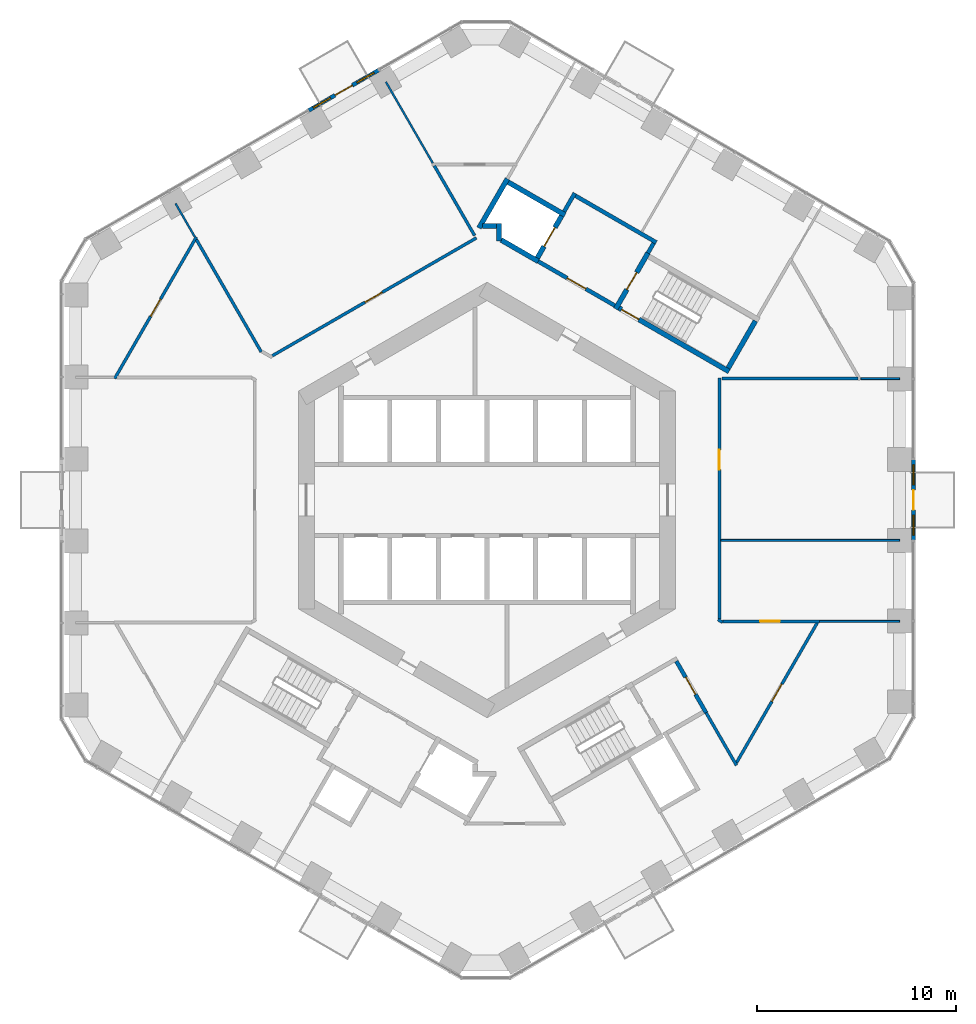
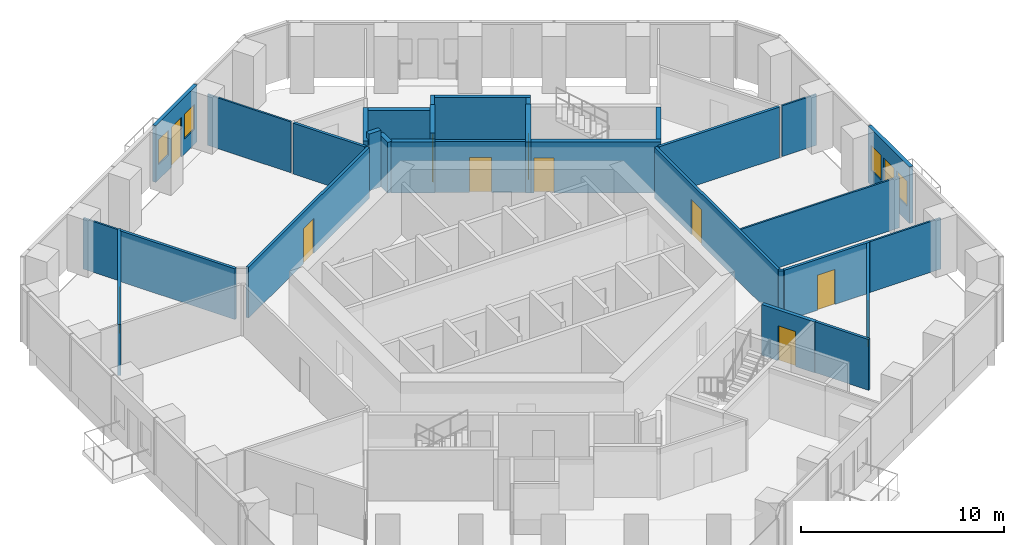
# One storey, part 15 of 20: 31 walls, 12 doors, 4 windows, 16 openings.
"""IFC4 building model written with IfcOpenShell, lengths in metres."""

from ifc_helpers import new_model, si_unit, direction, frame, frame_2d, origin, place, context, subcontext, project, spatial, rectangle, extrude, material, layer, layer_set, type_object, element, fill, save


model = new_model("IFC4")

# Units and contexts
model_context = context("Model", 3, precision=1e-05, world=origin(), true_north=direction((0.0, 1.0)))
body_context = subcontext(model_context, "Body", "Model", "MODEL_VIEW")
ifc_project = project(units=[si_unit("LENGTHUNIT", "METRE"), si_unit("AREAUNIT", "SQUARE_METRE"), si_unit("VOLUMEUNIT", "CUBIC_METRE"), si_unit("PLANEANGLEUNIT", "RADIAN"), si_unit("MASSUNIT", "GRAM", prefix="KILO")], contexts=[model_context])

# Site, building, storey
site_placement = place(None, origin())
site = spatial("IfcSite", under=ifc_project, at=site_placement, CompositionType="ELEMENT")
building_placement = place(site_placement, origin())
building = spatial("IfcBuilding", under=site, at=building_placement, Name="Ayvan Gate Tower", CompositionType="ELEMENT")
storey_placement = place(building_placement, frame((0.0, 0.0, 28.89990234375)))
storey = spatial("IfcBuildingStorey", under=building, at=storey_placement, Name="L06", CompositionType="ELEMENT", Elevation=28.89990234375)

# Wall, openings, door, windows
ifc_material_1 = material(Name="Insulated metal panel wall")
ifc_layer_1 = layer(ifc_material_1, 0.199951171875)
ifc_layer_set_1 = layer_set([ifc_layer_1], Name="Insulated metal panel wall")
wall_type_1 = type_object("IfcWallType", Name="Balcony door wall 200", PredefinedType="SOLIDWALL", material=ifc_layer_set_1)
wall_1_placement = place(storey_placement, frame((-5.4599609375, 21.656005859375, 0.0), z_axis=(0.0, 0.0, 1.0), x_axis=(-0.866021634107, -0.500006529216, 0.0)))
wall_1 = element("IfcWall", 1, at=wall_1_placement, inside=storey, type_object=wall_type_1, Name="EW:L06:2:1", PredefinedType="SOLIDWALL", context=body_context, shape_type="SweptSolid", body=[
    extrude(rectangle(XDim=4.06689453125, YDim=0.199951171875, at=frame_2d((2.033447265625, 0.0))), origin(), (0.0, 0.0, 1.0), 3.400146484375),
])
opening_1_placement = place(wall_1_placement, frame((1.533447265625, 0.0, 0.0)))
opening_1 = element("IfcOpeningElement", 2, at=opening_1_placement, cuts=wall_1, Name="Opening L06-D92", PredefinedType="OPENING", context=body_context, shape_type="SweptSolid", body=[
    extrude(rectangle(XDim=1.0, YDim=2.39990234375, at=frame_2d((0.5, 1.199951171875))), frame((0.0, 0.10986328125, 0.0), z_axis=(0.0, -1.0, 0.0), x_axis=(1.0, 0.0, 0.0)), (0.0, 0.0, 1.0), 0.219970703125),
])
opening_2_placement = place(wall_1_placement, frame((0.266845703125, 0.0, 0.89990234375)))
opening_2 = element("IfcOpeningElement", 3, at=opening_2_placement, cuts=wall_1, Name="Opening W-B1", PredefinedType="OPENING", context=body_context, shape_type="SweptSolid", body=[
    extrude(rectangle(XDim=1.0, YDim=1.5, at=frame_2d((0.5, 0.75))), frame((0.0, 0.10986328125, 0.0), z_axis=(0.0, -1.0, 0.0), x_axis=(1.0, 0.0, 0.0)), (0.0, 0.0, 1.0), 0.219970703125),
])
opening_3_placement = place(wall_1_placement, frame((2.80029296875, 0.0, 0.89990234375)))
opening_3 = element("IfcOpeningElement", 4, at=opening_3_placement, cuts=wall_1, Name="Opening W-B1", PredefinedType="OPENING", context=body_context, shape_type="SweptSolid", body=[
    extrude(rectangle(XDim=1.0, YDim=1.5, at=frame_2d((0.5, 0.75))), frame((0.0, 0.10986328125, 0.0), z_axis=(0.0, -1.0, 0.0), x_axis=(1.0, 0.0, 0.0)), (0.0, 0.0, 1.0), 0.219970703125),
])
ifc_material_2 = material(Name="Bronze anodised aluminium and clear glass", Category="aluminium")
door_type_1 = type_object("IfcDoorType", Name="Balcony door D-B", OperationType="SINGLE_SWING_RIGHT", PredefinedType="DOOR", material=ifc_material_2)
door_1_placement = place(opening_1_placement, origin())
door_1 = element("IfcDoor", 5, at=door_1_placement, inside=storey, type_object=door_type_1, Name="Balcony door BAL-L06-2", OperationType="SINGLE_SWING_RIGHT", OverallHeight=2.39990234375, OverallWidth=1.0, PredefinedType="DOOR", context=body_context, shape_type="SweptSolid", body=[
    extrude(rectangle(XDim=1.0, YDim=2.39990234375, at=frame_2d((0.5, 1.199951171875))), frame((0.0, 0.02490234375, 0.0), z_axis=(0.0, -1.0, 0.0), x_axis=(1.0, 0.0, 0.0)), (0.0, 0.0, 1.0), 0.050048828125),
])
fill(opening_1, door_1)
window_type = type_object("IfcWindowType", Name="Balcony side light W-B Z1", PartitioningType="SINGLE_PANEL", PredefinedType="WINDOW", material=ifc_material_2)
window_1_placement = place(opening_2_placement, origin())
window_1 = element("IfcWindow", 6, at=window_1_placement, inside=storey, type_object=window_type, Name="Balcony side light BAL-L06-2.1", OverallHeight=1.5, OverallWidth=1.0, PartitioningType="SINGLE_PANEL", PredefinedType="WINDOW", context=body_context, shape_type="SweptSolid", body=[
    extrude(rectangle(XDim=1.0, YDim=1.5, at=frame_2d((0.5, 0.75))), frame((0.0, 0.030029296875, 0.0), z_axis=(0.0, -1.0, 0.0), x_axis=(1.0, 0.0, 0.0)), (0.0, 0.0, 1.0), 0.06005859375),
])
fill(opening_2, window_1)
window_2_placement = place(opening_3_placement, origin())
window_2 = element("IfcWindow", 7, at=window_2_placement, inside=storey, type_object=window_type, Name="Balcony side light BAL-L06-2.2", OverallHeight=1.5, OverallWidth=1.0, PartitioningType="SINGLE_PANEL", PredefinedType="WINDOW", context=body_context, shape_type="SweptSolid", body=[
    extrude(rectangle(XDim=1.0, YDim=1.5, at=frame_2d((0.5, 0.75))), frame((0.0, 0.030029296875, 0.0), z_axis=(0.0, -1.0, 0.0), x_axis=(1.0, 0.0, 0.0)), (0.0, 0.0, 1.0), 0.06005859375),
])
fill(opening_3, window_2)

wall_2_placement = place(storey_placement, frame((21.484619140625, -2.032470703125, 0.0), z_axis=(0.0, 0.0, 1.0), x_axis=(0.0, 1.0, 0.0)))
wall_2 = element("IfcWall", 8, at=wall_2_placement, inside=storey, type_object=wall_type_1, Name="EW:L06:0:2", PredefinedType="SOLIDWALL", context=body_context, shape_type="SweptSolid", body=[
    extrude(rectangle(XDim=4.06591796875, YDim=0.199951171875, at=frame_2d((2.032958984375, 0.0))), origin(), (0.0, 0.0, 1.0), 3.400146484375),
])
opening_4_placement = place(wall_2_placement, frame((1.532958984375, 0.0, 0.0)))
opening_4 = element("IfcOpeningElement", 9, at=opening_4_placement, cuts=wall_2, Name="Opening L06-D90", PredefinedType="OPENING", context=body_context, shape_type="SweptSolid", body=[
    extrude(rectangle(XDim=1.0, YDim=2.39990234375, at=frame_2d((0.5, 1.199951171875))), frame((0.0, 0.10986328125, 0.0), z_axis=(0.0, -1.0, 0.0), x_axis=(1.0, 0.0, 0.0)), (0.0, 0.0, 1.0), 0.219970703125),
])
opening_5_placement = place(wall_2_placement, frame((0.2666015625, 0.0, 0.89990234375)))
opening_5 = element("IfcOpeningElement", 10, at=opening_5_placement, cuts=wall_2, Name="Opening W-B1", PredefinedType="OPENING", context=body_context, shape_type="SweptSolid", body=[
    extrude(rectangle(XDim=1.0, YDim=1.5, at=frame_2d((0.5, 0.75))), frame((0.0, 0.10986328125, 0.0), z_axis=(0.0, -1.0, 0.0), x_axis=(1.0, 0.0, 0.0)), (0.0, 0.0, 1.0), 0.219970703125),
])
opening_6_placement = place(wall_2_placement, frame((2.799560546875, 0.0, 0.89990234375)))
opening_6 = element("IfcOpeningElement", 11, at=opening_6_placement, cuts=wall_2, Name="Opening W-B1", PredefinedType="OPENING", context=body_context, shape_type="SweptSolid", body=[
    extrude(rectangle(XDim=1.0, YDim=1.5, at=frame_2d((0.5, 0.75))), frame((0.0, 0.10986328125, 0.0), z_axis=(0.0, -1.0, 0.0), x_axis=(1.0, 0.0, 0.0)), (0.0, 0.0, 1.0), 0.219970703125),
])
door_2_placement = place(opening_4_placement, origin())
door_2 = element("IfcDoor", 12, at=door_2_placement, inside=storey, type_object=door_type_1, Name="Balcony door BAL-L06-0", OperationType="SINGLE_SWING_RIGHT", OverallHeight=2.39990234375, OverallWidth=1.0, PredefinedType="DOOR", context=body_context, shape_type="SweptSolid", body=[
    extrude(rectangle(XDim=1.0, YDim=2.39990234375, at=frame_2d((0.5, 1.199951171875))), frame((0.0, 0.02490234375, 0.0), z_axis=(0.0, -1.0, 0.0), x_axis=(1.0, 0.0, 0.0)), (0.0, 0.0, 1.0), 0.050048828125),
])
fill(opening_4, door_2)
window_3_placement = place(opening_5_placement, origin())
window_3 = element("IfcWindow", 13, at=window_3_placement, inside=storey, type_object=window_type, Name="Balcony side light BAL-L06-0.1", OverallHeight=1.5, OverallWidth=1.0, PartitioningType="SINGLE_PANEL", PredefinedType="WINDOW", context=body_context, shape_type="SweptSolid", body=[
    extrude(rectangle(XDim=1.0, YDim=1.5, at=frame_2d((0.5, 0.75))), frame((0.0, 0.030029296875, 0.0), z_axis=(0.0, -1.0, 0.0), x_axis=(1.0, 0.0, 0.0)), (0.0, 0.0, 1.0), 0.06005859375),
])
fill(opening_5, window_3)
window_4_placement = place(opening_6_placement, origin())
window_4 = element("IfcWindow", 14, at=window_4_placement, inside=storey, type_object=window_type, Name="Balcony side light BAL-L06-0.2", OverallHeight=1.5, OverallWidth=1.0, PartitioningType="SINGLE_PANEL", PredefinedType="WINDOW", context=body_context, shape_type="SweptSolid", body=[
    extrude(rectangle(XDim=1.0, YDim=1.5, at=frame_2d((0.5, 0.75))), frame((0.0, 0.030029296875, 0.0), z_axis=(0.0, -1.0, 0.0), x_axis=(1.0, 0.0, 0.0)), (0.0, 0.0, 1.0), 0.06005859375),
])
fill(opening_6, window_4)

# Wall, opening, door
ifc_material_3 = material(Name="Plasterboard on steel stud", Category="steel")
ifc_layer_2 = layer(ifc_material_3, 0.14990234375)
ifc_layer_set_2 = layer_set([ifc_layer_2], Name="Plasterboard on steel stud")
wall_type_2 = type_object("IfcWallType", Name="WT-CORR-150", PredefinedType="PARTITIONING", material=ifc_layer_set_2)
wall_3_placement = place(storey_placement, frame((-18.75634765625, 6.116455078125, 0.0), z_axis=(0.0, 0.0, 1.0), x_axis=(0.500020193662, 0.866013744654, 0.0)))
wall_3 = element("IfcWall", 15, at=wall_3_placement, inside=storey, type_object=wall_type_2, Name="IW-L06-003", PredefinedType="PARTITIONING", context=body_context, shape_type="SweptSolid", body=[
    extrude(rectangle(XDim=8.233642578125, YDim=0.14990234375, at=frame_2d((4.11669921875, 0.0))), origin(), (0.0, 0.0, 1.0), 3.050048828125),
])
opening_7_placement = place(wall_3_placement, frame((3.61669921875, 0.0, 0.0)))
opening_7 = element("IfcOpeningElement", 16, at=opening_7_placement, cuts=wall_3, Name="Opening L06-D23", PredefinedType="OPENING", context=body_context, shape_type="SweptSolid", body=[
    extrude(rectangle(XDim=1.0, YDim=2.10009765625, at=frame_2d((0.5, 1.050048828125))), frame((0.0, 0.0849609375, 0.0), z_axis=(0.0, -1.0, 0.0), x_axis=(1.0, 0.0, 0.0)), (0.0, 0.0, 1.0), 0.169921875),
])
ifc_material_4 = material(Name="Timber door leaf", Category="wood")
door_type_2 = type_object("IfcDoorType", Name="DT-1000", OperationType="NOTDEFINED", PredefinedType="DOOR", material=ifc_material_4)
door_3_placement = place(opening_7_placement, origin())
door_3 = element("IfcDoor", 17, at=door_3_placement, inside=storey, type_object=door_type_2, Name="ID-L06-023", OperationType="SINGLE_SWING_LEFT", OverallHeight=2.10009765625, OverallWidth=1.0, PredefinedType="DOOR", context=body_context, shape_type="SweptSolid", body=[
    extrude(rectangle(XDim=1.0, YDim=2.10009765625, at=frame_2d((0.5, 1.050048828125))), frame((0.0, 0.02490234375, 0.0), z_axis=(0.0, -1.0, 0.0), x_axis=(1.0, 0.0, 0.0)), (0.0, 0.0, 1.0), 0.050048828125),
])
fill(opening_7, door_3)

# Wall
wall_4_placement = place(storey_placement, frame((-14.639404296875, 13.116943359375, 0.0), z_axis=(0.0, 0.0, 1.0), x_axis=(0.500000581714, -0.866025067932, 0.0)))
element("IfcWall", 18, at=wall_4_placement, inside=storey, type_object=wall_type_2, Name="IW-L06-007", PredefinedType="PARTITIONING", context=body_context, shape_type="SweptSolid", body=[
    extrude(rectangle(XDim=6.53466796875, YDim=0.14990234375, at=frame_2d((3.267333984375, 0.0))), origin(), (0.0, 0.0, 1.0), 3.050048828125),
])

# Wall, opening, door
wall_5_placement = place(storey_placement, frame((-10.824951171875, 7.26025390625, 0.0), z_axis=(0.0, 0.0, 1.0), x_axis=(0.866026819738, 0.499997547488, 0.0)))
wall_5 = element("IfcWall", 19, at=wall_5_placement, inside=storey, type_object=wall_type_2, Name="IW-L06-016", PredefinedType="PARTITIONING", context=body_context, shape_type="SweptSolid", body=[
    extrude(rectangle(XDim=11.8818359375, YDim=0.14990234375, at=frame_2d((5.94091796875, 0.0))), origin(), (0.0, 0.0, 1.0), 3.050048828125),
])
opening_8_placement = place(wall_5_placement, frame((5.4033203125, 0.0, 0.0)))
opening_8 = element("IfcOpeningElement", 20, at=opening_8_placement, cuts=wall_5, Name="Opening L06-D29", PredefinedType="OPENING", context=body_context, shape_type="SweptSolid", body=[
    extrude(rectangle(XDim=1.0, YDim=2.10009765625, at=frame_2d((0.5, 1.050048828125))), frame((0.0, 0.0849609375, 0.0), z_axis=(0.0, -1.0, 0.0), x_axis=(1.0, 0.0, 0.0)), (0.0, 0.0, 1.0), 0.169921875),
])
door_4_placement = place(opening_8_placement, origin())
door_4 = element("IfcDoor", 21, at=door_4_placement, inside=storey, type_object=door_type_2, Name="ID-L06-029", OperationType="SINGLE_SWING_LEFT", OverallHeight=2.10009765625, OverallWidth=1.0, PredefinedType="DOOR", context=body_context, shape_type="SweptSolid", body=[
    extrude(rectangle(XDim=1.0, YDim=2.10009765625, at=frame_2d((0.5, 1.050048828125))), frame((0.0, 0.02490234375, 0.0), z_axis=(0.0, -1.0, 0.0), x_axis=(1.0, 0.0, 0.0)), (0.0, 0.0, 1.0), 0.050048828125),
])
fill(opening_8, door_4)

# Walls
wall_6_placement = place(storey_placement, frame((-0.623779296875, 13.319580078125, 0.0), z_axis=(0.0, 0.0, 1.0), x_axis=(-0.499986114097, 0.866033420666, 0.0)))
element("IfcWall", 22, at=wall_6_placement, inside=storey, type_object=wall_type_2, Name="IW-L06-047", PredefinedType="PARTITIONING", context=body_context, shape_type="SweptSolid", body=[
    extrude(rectangle(XDim=4.06103515625, YDim=0.14990234375, at=frame_2d((2.030517578125, 0.0))), origin(), (0.0, 0.0, 1.0), 3.050048828125),
])
wall_7_placement = place(storey_placement, frame((11.635009765625, -6.024658203125, 0.0), z_axis=(0.0, 0.0, 1.0), x_axis=(0.865909406545, -0.500200859313, 0.0)))
element("IfcWall", 23, at=wall_7_placement, inside=storey, type_object=wall_type_2, Name="IW-L06-093", PredefinedType="PARTITIONING", context=body_context, shape_type="SweptSolid", body=[
    extrude(rectangle(XDim=0.26513671875, YDim=0.14990234375, at=frame_2d((0.132568359375, 0.0))), origin(), (0.0, 0.0, 1.0), 3.050048828125),
])

# Wall, opening, door
wall_8_placement = place(storey_placement, frame((11.699951171875, -5.9873046875, 0.0), z_axis=(0.0, 0.0, 1.0), x_axis=(0.0, 1.0, 0.0)))
wall_8 = element("IfcWall", 24, at=wall_8_placement, inside=storey, type_object=wall_type_2, Name="IW-L06-094", PredefinedType="PARTITIONING", context=body_context, shape_type="SweptSolid", body=[
    extrude(rectangle(XDim=12.12451171875, YDim=0.14990234375, at=frame_2d((6.062255859375, 0.0))), origin(), (0.0, 0.0, 1.0), 3.050048828125),
])
opening_9_placement = place(wall_8_placement, frame((7.51318359375, 0.0, 0.0)))
opening_9 = element("IfcOpeningElement", 25, at=opening_9_placement, cuts=wall_8, Name="Opening L06-D18", PredefinedType="OPENING", context=body_context, shape_type="SweptSolid", body=[
    extrude(rectangle(XDim=1.0, YDim=2.10009765625, at=frame_2d((0.5, 1.050048828125))), frame((0.0, 0.0849609375, 0.0), z_axis=(0.0, -1.0, 0.0), x_axis=(1.0, 0.0, 0.0)), (0.0, 0.0, 1.0), 0.169921875),
])
door_5_placement = place(opening_9_placement, origin())
door_5 = element("IfcDoor", 26, at=door_5_placement, inside=storey, type_object=door_type_2, Name="ID-L06-018", OperationType="SINGLE_SWING_RIGHT", OverallHeight=2.10009765625, OverallWidth=1.0, PredefinedType="DOOR", context=body_context, shape_type="SweptSolid", body=[
    extrude(rectangle(XDim=1.0, YDim=2.10009765625, at=frame_2d((0.5, 1.050048828125))), frame((0.0, 0.02490234375, 0.0), z_axis=(0.0, -1.0, 0.0), x_axis=(1.0, 0.0, 0.0)), (0.0, 0.0, 1.0), 0.050048828125),
])
fill(opening_9, door_5)

wall_9_placement = place(storey_placement, frame((11.87451171875, -6.11962890625, 0.0), z_axis=(0.0, 0.0, 1.0), x_axis=(1.0, 0.0, 0.0)))
wall_9 = element("IfcWall", 27, at=wall_9_placement, inside=storey, type_object=wall_type_2, Name="IW-L06-096", PredefinedType="PARTITIONING", context=body_context, shape_type="SweptSolid", body=[
    extrude(rectangle(XDim=4.87646484375, YDim=0.14990234375, at=frame_2d((2.438232421875, 0.0))), origin(), (0.0, 0.0, 1.0), 3.050048828125),
])
opening_10_placement = place(wall_9_placement, frame((1.88330078125, 0.0, 0.0)))
opening_10 = element("IfcOpeningElement", 28, at=opening_10_placement, cuts=wall_9, Name="Opening L06-D17", PredefinedType="OPENING", context=body_context, shape_type="SweptSolid", body=[
    extrude(rectangle(XDim=1.0, YDim=2.10009765625, at=frame_2d((0.5, 1.050048828125))), frame((0.0, 0.0849609375, 0.0), z_axis=(0.0, -1.0, 0.0), x_axis=(1.0, 0.0, 0.0)), (0.0, 0.0, 1.0), 0.169921875),
])
door_6_placement = place(opening_10_placement, origin())
door_6 = element("IfcDoor", 29, at=door_6_placement, inside=storey, type_object=door_type_2, Name="ID-L06-017", OperationType="SINGLE_SWING_LEFT", OverallHeight=2.10009765625, OverallWidth=1.0, PredefinedType="DOOR", context=body_context, shape_type="SweptSolid", body=[
    extrude(rectangle(XDim=1.0, YDim=2.10009765625, at=frame_2d((0.5, 1.050048828125))), frame((0.0, 0.02490234375, 0.0), z_axis=(0.0, -1.0, 0.0), x_axis=(1.0, 0.0, 0.0)), (0.0, 0.0, 1.0), 0.050048828125),
])
fill(opening_10, door_6)

# Wall
wall_10_placement = place(storey_placement, frame((12.56689453125, -13.36669921875, 0.0), z_axis=(0.0, 0.0, 1.0), x_axis=(-0.49994119861, 0.866059350121, 0.0)))
element("IfcWall", 30, at=wall_10_placement, inside=storey, type_object=wall_type_2, Name="IW-L06-099", PredefinedType="PARTITIONING", context=body_context, shape_type="SweptSolid", body=[
    extrude(rectangle(XDim=3.059326171875, YDim=0.14990234375, at=frame_2d((1.52978515625, 0.0))), origin(), (0.0, 0.0, 1.0), 3.050048828125),
])

# Wall, opening, door
wall_11_placement = place(storey_placement, frame((16.638427734375, -6.1845703125, 0.0), z_axis=(0.0, 0.0, 1.0), x_axis=(-0.49999235763, -0.866029816064, 0.0)))
wall_11 = element("IfcWall", 31, at=wall_11_placement, inside=storey, type_object=wall_type_2, Name="IW-L06-104", PredefinedType="PARTITIONING", context=body_context, shape_type="SweptSolid", body=[
    extrude(rectangle(XDim=8.143310546875, YDim=0.14990234375, at=frame_2d((4.07177734375, 0.0))), origin(), (0.0, 0.0, 1.0), 3.050048828125),
])
opening_11_placement = place(wall_11_placement, frame((3.571533203125, 0.0, 0.0)))
opening_11 = element("IfcOpeningElement", 32, at=opening_11_placement, cuts=wall_11, Name="Opening L06-D28", PredefinedType="OPENING", context=body_context, shape_type="SweptSolid", body=[
    extrude(rectangle(XDim=1.0, YDim=2.10009765625, at=frame_2d((0.5, 1.050048828125))), frame((0.0, 0.0849609375, 0.0), z_axis=(0.0, -1.0, 0.0), x_axis=(1.0, 0.0, 0.0)), (0.0, 0.0, 1.0), 0.169921875),
])
door_7_placement = place(opening_11_placement, origin())
door_7 = element("IfcDoor", 33, at=door_7_placement, inside=storey, type_object=door_type_2, Name="ID-L06-028", OperationType="SINGLE_SWING_RIGHT", OverallHeight=2.10009765625, OverallWidth=1.0, PredefinedType="DOOR", context=body_context, shape_type="SweptSolid", body=[
    extrude(rectangle(XDim=1.0, YDim=2.10009765625, at=frame_2d((0.5, 1.050048828125))), frame((0.0, 0.02490234375, 0.0), z_axis=(0.0, -1.0, 0.0), x_axis=(1.0, 0.0, 0.0)), (0.0, 0.0, 1.0), 0.050048828125),
])
fill(opening_11, door_7)

# Walls
wall_12_placement = place(storey_placement, frame((18.679443359375, 6.11962890625, 0.0), z_axis=(0.0, 0.0, 1.0), x_axis=(-1.0, 0.0, 0.0)))
element("IfcWall", 34, at=wall_12_placement, inside=storey, type_object=wall_type_2, Name="IW-L06-106", PredefinedType="PARTITIONING", context=body_context, shape_type="SweptSolid", body=[
    extrude(rectangle(XDim=6.83251953125, YDim=0.14990234375, at=frame_2d((3.416259765625, 0.0))), origin(), (0.0, 0.0, 1.0), 3.050048828125),
])
ifc_layer_3 = layer(ifc_material_3, 0.10009765625)
ifc_layer_set_3 = layer_set([ifc_layer_3], Name="Plasterboard on steel stud")
wall_type_3 = type_object("IfcWallType", Name="WT-PART-100", PredefinedType="PARTITIONING", material=ifc_layer_set_3)
wall_13_placement = place(storey_placement, frame((-15.692138671875, 14.940185546875, 0.0), z_axis=(0.0, 0.0, 1.0), x_axis=(0.499953038101, -0.866052515552, 0.0)))
element("IfcWall", 35, at=wall_13_placement, inside=storey, type_object=wall_type_3, Name="IW-L06-004", PredefinedType="PARTITIONING", context=body_context, shape_type="SweptSolid", body=[
    extrude(rectangle(XDim=1.955322265625, YDim=0.10009765625, at=frame_2d((0.9775390625, 0.0))), origin(), (0.0, 0.0, 1.0), 3.050048828125),
])
wall_14_placement = place(storey_placement, frame((-2.729248046875, 16.966552734375, 0.0), z_axis=(0.0, 0.0, 1.0), x_axis=(-0.500005632288, 0.866022151957, 0.0)))
element("IfcWall", 36, at=wall_14_placement, inside=storey, type_object=wall_type_3, Name="IW-L06-039", PredefinedType="PARTITIONING", context=body_context, shape_type="SweptSolid", body=[
    extrude(rectangle(XDim=4.7265625, YDim=0.10009765625, at=frame_2d((2.36328125, 0.0))), origin(), (0.0, 0.0, 1.0), 3.050048828125),
])
wall_15_placement = place(storey_placement, frame((11.77490234375, -2.039794921875, 0.0), z_axis=(0.0, 0.0, 1.0), x_axis=(1.0, 0.0, 0.0)))
element("IfcWall", 37, at=wall_15_placement, inside=storey, type_object=wall_type_3, Name="IW-L06-095", PredefinedType="PARTITIONING", context=body_context, shape_type="SweptSolid", body=[
    extrude(rectangle(XDim=9.009765625, YDim=0.10009765625, at=frame_2d((4.5048828125, 0.0))), origin(), (0.0, 0.0, 1.0), 3.050048828125),
])
wall_16_placement = place(storey_placement, frame((18.829345703125, 6.11962890625, 0.0), z_axis=(0.0, 0.0, 1.0), x_axis=(1.0, 0.0, 0.0)))
element("IfcWall", 38, at=wall_16_placement, inside=storey, type_object=wall_type_3, Name="IW-L06-105", PredefinedType="PARTITIONING", context=body_context, shape_type="SweptSolid", body=[
    extrude(rectangle(XDim=1.955322265625, YDim=0.10009765625, at=frame_2d((0.9775390625, 0.0))), origin(), (0.0, 0.0, 1.0), 3.050048828125),
])
wall_17_placement = place(storey_placement, frame((20.78466796875, -6.11962890625, 0.0), z_axis=(0.0, 0.0, 1.0), x_axis=(-1.0, 0.0, 0.0)))
element("IfcWall", 39, at=wall_17_placement, inside=storey, type_object=wall_type_3, Name="IW-L06-107", PredefinedType="PARTITIONING", context=body_context, shape_type="SweptSolid", body=[
    extrude(rectangle(XDim=4.033935546875, YDim=0.10009765625, at=frame_2d((2.01708984375, 0.0))), origin(), (0.0, 0.0, 1.0), 3.050048828125),
])
ifc_layer_4 = layer(ifc_material_3, 0.199951171875)
ifc_layer_set_4 = layer_set([ifc_layer_4], Name="Plasterboard on steel stud")
wall_type_4 = type_object("IfcWallType", Name="WT-RATED-200", PredefinedType="PARTITIONING", material=ifc_layer_set_4)
wall_18_placement = place(storey_placement, frame((3.885009765625, 14.52880859375, 0.0), z_axis=(0.0, 0.0, 1.0), x_axis=(0.499997628298, 0.866026773083, 0.0)))
element("IfcWall", 40, at=wall_18_placement, inside=storey, type_object=wall_type_4, Name="IW-L06-068", PredefinedType="PARTITIONING", context=body_context, shape_type="SweptSolid", body=[
    extrude(rectangle(XDim=1.0751953125, YDim=0.199951171875, at=frame_2d((0.53759765625, 0.0))), origin(), (0.0, 0.0, 1.0), 3.050048828125),
])
wall_19_placement = place(storey_placement, frame((4.458984375, 15.323486328125, 0.0), z_axis=(0.0, 0.0, 1.0), x_axis=(0.866016039709, -0.500016218704, 0.0)))
element("IfcWall", 41, at=wall_19_placement, inside=storey, type_object=wall_type_4, Name="IW-L06-071", PredefinedType="PARTITIONING", context=body_context, shape_type="SweptSolid", body=[
    extrude(rectangle(XDim=4.699951171875, YDim=0.199951171875, at=frame_2d((2.35009765625, 0.0))), origin(), (0.0, 0.0, 1.0), 3.050048828125),
])

# Wall, opening, door
wall_20_placement = place(storey_placement, frame((6.4345703125, 9.794921875, 0.0), z_axis=(0.0, 0.0, 1.0), x_axis=(-0.866012907634, 0.500021643343, 0.0)))
wall_20 = element("IfcWall", 42, at=wall_20_placement, inside=storey, type_object=wall_type_4, Name="IW-L06-074", PredefinedType="PARTITIONING", context=body_context, shape_type="SweptSolid", body=[
    extrude(rectangle(XDim=4.449951171875, YDim=0.199951171875, at=frame_2d((2.22509765625, 0.0))), origin(), (0.0, 0.0, 1.0), 3.050048828125),
])
opening_12_placement = place(wall_20_placement, frame((1.675048828125, 0.0, 0.0)))
opening_12 = element("IfcOpeningElement", 43, at=opening_12_placement, cuts=wall_20, Name="Opening L06-D08", PredefinedType="OPENING", context=body_context, shape_type="SweptSolid", body=[
    extrude(rectangle(XDim=1.10009765625, YDim=2.10009765625, at=frame_2d((0.550048828125, 1.050048828125))), frame((0.0, 0.10986328125, 0.0), z_axis=(0.0, -1.0, 0.0), x_axis=(1.0, 0.0, 0.0)), (0.0, 0.0, 1.0), 0.219970703125),
])
door_type_3 = type_object("IfcDoorType", Name="DT-1100", OperationType="NOTDEFINED", PredefinedType="DOOR", material=ifc_material_4)
door_8_placement = place(opening_12_placement, origin())
door_8 = element("IfcDoor", 44, at=door_8_placement, inside=storey, type_object=door_type_3, Name="ID-L06-008", OperationType="SINGLE_SWING_RIGHT", OverallHeight=2.10009765625, OverallWidth=1.10009765625, PredefinedType="DOOR", context=body_context, shape_type="SweptSolid", body=[
    extrude(rectangle(XDim=1.10009765625, YDim=2.10009765625, at=frame_2d((0.550048828125, 1.050048828125))), frame((0.0, 0.02490234375, 0.0), z_axis=(0.0, -1.0, 0.0), x_axis=(1.0, 0.0, 0.0)), (0.0, 0.0, 1.0), 0.050048828125),
])
fill(opening_12, door_8)

# Wall
wall_21_placement = place(storey_placement, frame((8.392822265625, 12.936767578125, 0.0), z_axis=(0.0, 0.0, 1.0), x_axis=(-0.500065409566, -0.86598763626, 0.0)))
element("IfcWall", 45, at=wall_21_placement, inside=storey, type_object=wall_type_4, Name="IW-L06-084", PredefinedType="PARTITIONING", context=body_context, shape_type="SweptSolid", body=[
    extrude(rectangle(XDim=0.5751953125, YDim=0.199951171875, at=frame_2d((0.28759765625, 0.0))), origin(), (0.0, 0.0, 1.0), 3.050048828125),
])

# Wall, opening, door
wall_22_placement = place(storey_placement, frame((9.537353515625, -8.119140625, 0.0), z_axis=(0.0, 0.0, 1.0), x_axis=(0.499990139034, -0.866031096941, 0.0)))
wall_22 = element("IfcWall", 46, at=wall_22_placement, inside=storey, type_object=wall_type_4, Name="IW-L06-090", PredefinedType="PARTITIONING", context=body_context, shape_type="SweptSolid", body=[
    extrude(rectangle(XDim=3.0, YDim=0.199951171875, at=frame_2d((1.5, 0.0))), origin(), (0.0, 0.0, 1.0), 3.050048828125),
])
opening_13_placement = place(wall_22_placement, frame((0.93505859375, 0.0, 0.0)))
opening_13 = element("IfcOpeningElement", 47, at=opening_13_placement, cuts=wall_22, Name="Opening L06-D15", PredefinedType="OPENING", context=body_context, shape_type="SweptSolid", body=[
    extrude(rectangle(XDim=1.0, YDim=2.10009765625, at=frame_2d((0.5, 1.050048828125))), frame((0.0, 0.10986328125, 0.0), z_axis=(0.0, -1.0, 0.0), x_axis=(1.0, 0.0, 0.0)), (0.0, 0.0, 1.0), 0.219970703125),
])
door_9_placement = place(opening_13_placement, origin())
door_9 = element("IfcDoor", 48, at=door_9_placement, inside=storey, type_object=door_type_2, Name="ID-L06-015", OperationType="SINGLE_SWING_LEFT", OverallHeight=2.10009765625, OverallWidth=1.0, PredefinedType="DOOR", context=body_context, shape_type="SweptSolid", body=[
    extrude(rectangle(XDim=1.0, YDim=2.10009765625, at=frame_2d((0.5, 1.050048828125))), frame((0.0, 0.02490234375, 0.0), z_axis=(0.0, -1.0, 0.0), x_axis=(1.0, 0.0, 0.0)), (0.0, 0.0, 1.0), 0.050048828125),
])
fill(opening_13, door_9)

# Walls
ifc_material_5 = material(Name="Concrete C50/60", Category="concrete")
ifc_layer_5 = layer(ifc_material_5, 0.25)
ifc_layer_set_5 = layer_set([ifc_layer_5], Name="Concrete C50/60")
wall_type_5 = type_object("IfcWallType", Name="WT-RC-250", PredefinedType="SHEAR", material=ifc_layer_set_5)
wall_23_placement = place(storey_placement, frame((-0.403076171875, 13.70166015625, 0.0), z_axis=(0.0, 0.0, 1.0), x_axis=(0.499976111731, 0.866039195244, 0.0)))
element("IfcWall", 49, at=wall_23_placement, inside=storey, type_object=wall_type_5, Name="IW-L06-052", PredefinedType="SHEAR", context=body_context, shape_type="SweptSolid", body=[
    extrude(rectangle(XDim=2.860595703125, YDim=0.25, at=frame_2d((1.43017578125, 0.0))), origin(), (0.0, 0.0, 1.0), 3.050048828125),
])
wall_24_placement = place(storey_placement, frame((0.60009765625, 13.03857421875, 0.0), z_axis=(0.0, 0.0, 1.0), x_axis=(0.0, 1.0, 0.0)))
element("IfcWall", 50, at=wall_24_placement, inside=storey, type_object=wall_type_5, Name="IW-L06-056", PredefinedType="SHEAR", context=body_context, shape_type="SweptSolid", body=[
    extrude(rectangle(XDim=0.896484375, YDim=0.25, at=frame_2d((0.4482421875, 0.0))), origin(), (0.0, 0.0, 1.0), 3.050048828125),
])
wall_25_placement = place(storey_placement, frame((0.47509765625, 13.81005859375, 0.0), z_axis=(0.0, 0.0, 1.0), x_axis=(-1.0, 0.0, 0.0)))
element("IfcWall", 51, at=wall_25_placement, inside=storey, type_object=wall_type_5, Name="IW-L06-057", PredefinedType="SHEAR", context=body_context, shape_type="SweptSolid", body=[
    extrude(rectangle(XDim=0.690673828125, YDim=0.25, at=frame_2d((0.34521484375, 0.0))), origin(), (0.0, 0.0, 1.0), 3.400146484375),
])
wall_26_placement = place(storey_placement, frame((1.072998046875, 16.00830078125, 0.0), z_axis=(0.0, 0.0, 1.0), x_axis=(0.866040211805, -0.499974350878, 0.0)))
element("IfcWall", 52, at=wall_26_placement, inside=storey, type_object=wall_type_5, Name="IW-L06-058", PredefinedType="SHEAR", context=body_context, shape_type="SweptSolid", body=[
    extrude(rectangle(XDim=3.300048828125, YDim=0.25, at=frame_2d((1.64990234375, 0.0))), origin(), (0.0, 0.0, 1.0), 3.050048828125),
])
wall_27_placement = place(storey_placement, frame((2.580810546875, 12.02001953125, 0.0), z_axis=(0.0, 0.0, 1.0), x_axis=(-0.86603892542, 0.499976579108, 0.0)))
element("IfcWall", 53, at=wall_27_placement, inside=storey, type_object=wall_type_5, Name="IW-L06-064", PredefinedType="SHEAR", context=body_context, shape_type="SweptSolid", body=[
    extrude(rectangle(XDim=2.162109375, YDim=0.25, at=frame_2d((1.0810546875, 0.0))), origin(), (0.0, 0.0, 1.0), 3.050048828125),
])

# Wall, opening, door
wall_28_placement = place(storey_placement, frame((2.534912109375, 12.19091796875, 0.0), z_axis=(0.0, 0.0, 1.0), x_axis=(0.500061746146, 0.865989751695, 0.0)))
wall_28 = element("IfcWall", 54, at=wall_28_placement, inside=storey, type_object=wall_type_5, Name="IW-L06-065", PredefinedType="SHEAR", context=body_context, shape_type="SweptSolid", body=[
    extrude(rectangle(XDim=2.449951171875, YDim=0.25, at=frame_2d((1.22509765625, 0.0))), origin(), (0.0, 0.0, 1.0), 3.400146484375),
])
opening_14_placement = place(wall_28_placement, frame((0.675048828125, 0.0, 0.0)))
opening_14 = element("IfcOpeningElement", 55, at=opening_14_placement, cuts=wall_28, Name="Opening L06-LD-FF1", PredefinedType="OPENING", context=body_context, shape_type="SweptSolid", body=[
    extrude(rectangle(XDim=1.10009765625, YDim=2.10009765625, at=frame_2d((0.550048828125, 1.050048828125))), frame((0.0, 0.135009765625, 0.0), z_axis=(0.0, -1.0, 0.0), x_axis=(1.0, 0.0, 0.0)), (0.0, 0.0, 1.0), 0.27001953125),
])
ifc_material_6 = material(Name="Stainless steel landing door", Category="steel")
door_type_4 = type_object("IfcDoorType", Name="DT-LANDING-1100", OperationType="SLIDING_TO_LEFT", PredefinedType="DOOR", material=ifc_material_6)
door_10_placement = place(opening_14_placement, origin())
door_10 = element("IfcDoor", 56, at=door_10_placement, inside=storey, type_object=door_type_4, Name="ID-L06-009", OperationType="SLIDING_TO_LEFT", OverallHeight=2.10009765625, OverallWidth=1.10009765625, PredefinedType="DOOR", context=body_context, shape_type="SweptSolid", body=[
    extrude(rectangle(XDim=1.10009765625, YDim=2.10009765625, at=frame_2d((0.550048828125, 1.050048828125))), frame((0.0, 0.02490234375, 0.0), z_axis=(0.0, -1.0, 0.0), x_axis=(1.0, 0.0, 0.0)), (0.0, 0.0, 1.0), 0.050048828125),
])
fill(opening_14, door_10)

wall_29_placement = place(storey_placement, frame((6.480224609375, 9.624267578125, 0.0), z_axis=(0.0, 0.0, 1.0), x_axis=(0.500017246033, 0.866015446554, 0.0)))
wall_29 = element("IfcWall", 57, at=wall_29_placement, inside=storey, type_object=wall_type_5, Name="IW-L06-075", PredefinedType="SHEAR", context=body_context, shape_type="SweptSolid", body=[
    extrude(rectangle(XDim=3.25, YDim=0.25, at=frame_2d((1.625, 0.0))), origin(), (0.0, 0.0, 1.0), 3.050048828125),
])
opening_15_placement = place(wall_29_placement, frame((1.125, 0.0, 0.0)))
opening_15 = element("IfcOpeningElement", 58, at=opening_15_placement, cuts=wall_29, Name="Opening L06-D07", PredefinedType="OPENING", context=body_context, shape_type="SweptSolid", body=[
    extrude(rectangle(XDim=1.0, YDim=2.10009765625, at=frame_2d((0.5, 1.050048828125))), frame((0.0, 0.135009765625, 0.0), z_axis=(0.0, -1.0, 0.0), x_axis=(1.0, 0.0, 0.0)), (0.0, 0.0, 1.0), 0.27001953125),
])
door_11_placement = place(opening_15_placement, origin())
door_11 = element("IfcDoor", 59, at=door_11_placement, inside=storey, type_object=door_type_2, Name="ID-L06-007", OperationType="SINGLE_SWING_LEFT", OverallHeight=2.10009765625, OverallWidth=1.0, PredefinedType="DOOR", context=body_context, shape_type="SweptSolid", body=[
    extrude(rectangle(XDim=1.0, YDim=2.10009765625, at=frame_2d((0.5, 1.050048828125))), frame((0.0, 0.02490234375, 0.0), z_axis=(0.0, -1.0, 0.0), x_axis=(1.0, 0.0, 0.0)), (0.0, 0.0, 1.0), 0.050048828125),
])
fill(opening_15, door_11)

wall_30_placement = place(storey_placement, frame((12.193603515625, 6.469970703125, 0.0), z_axis=(0.0, 0.0, 1.0), x_axis=(-0.866025499775, 0.499999833739, 0.0)))
wall_30 = element("IfcWall", 60, at=wall_30_placement, inside=storey, type_object=wall_type_5, Name="IW-L06-098", PredefinedType="SHEAR", context=body_context, shape_type="SweptSolid", body=[
    extrude(rectangle(XDim=6.39990234375, YDim=0.25, at=frame_2d((3.199951171875, 0.0))), origin(), (0.0, 0.0, 1.0), 3.050048828125),
])
opening_16_placement = place(wall_30_placement, frame((5.25, 0.0, 0.0)))
opening_16 = element("IfcOpeningElement", 61, at=opening_16_placement, cuts=wall_30, Name="Opening L06-D06", PredefinedType="OPENING", context=body_context, shape_type="SweptSolid", body=[
    extrude(rectangle(XDim=1.0, YDim=2.10009765625, at=frame_2d((0.5, 1.050048828125))), frame((0.0, 0.135009765625, 0.0), z_axis=(0.0, -1.0, 0.0), x_axis=(1.0, 0.0, 0.0)), (0.0, 0.0, 1.0), 0.27001953125),
])
door_12_placement = place(opening_16_placement, origin())
door_12 = element("IfcDoor", 62, at=door_12_placement, inside=storey, type_object=door_type_2, Name="ID-L06-006", OperationType="SINGLE_SWING_RIGHT", OverallHeight=2.10009765625, OverallWidth=1.0, PredefinedType="DOOR", context=body_context, shape_type="SweptSolid", body=[
    extrude(rectangle(XDim=1.0, YDim=2.10009765625, at=frame_2d((0.5, 1.050048828125))), frame((0.0, 0.02490234375, 0.0), z_axis=(0.0, -1.0, 0.0), x_axis=(1.0, 0.0, 0.0)), (0.0, 0.0, 1.0), 0.050048828125),
])
fill(opening_16, door_12)

# Wall
wall_31_placement = place(storey_placement, frame((13.52294921875, 9.022216796875, 0.0), z_axis=(0.0, 0.0, 1.0), x_axis=(-0.500034990121, -0.866005201286, 0.0)))
element("IfcWall", 63, at=wall_31_placement, inside=storey, type_object=wall_type_5, Name="IW-L06-101", PredefinedType="SHEAR", context=body_context, shape_type="SweptSolid", body=[
    extrude(rectangle(XDim=2.749755859375, YDim=0.25, at=frame_2d((1.375, 0.0))), origin(), (0.0, 0.0, 1.0), 3.050048828125),
])

save(model, "model.ifc")
